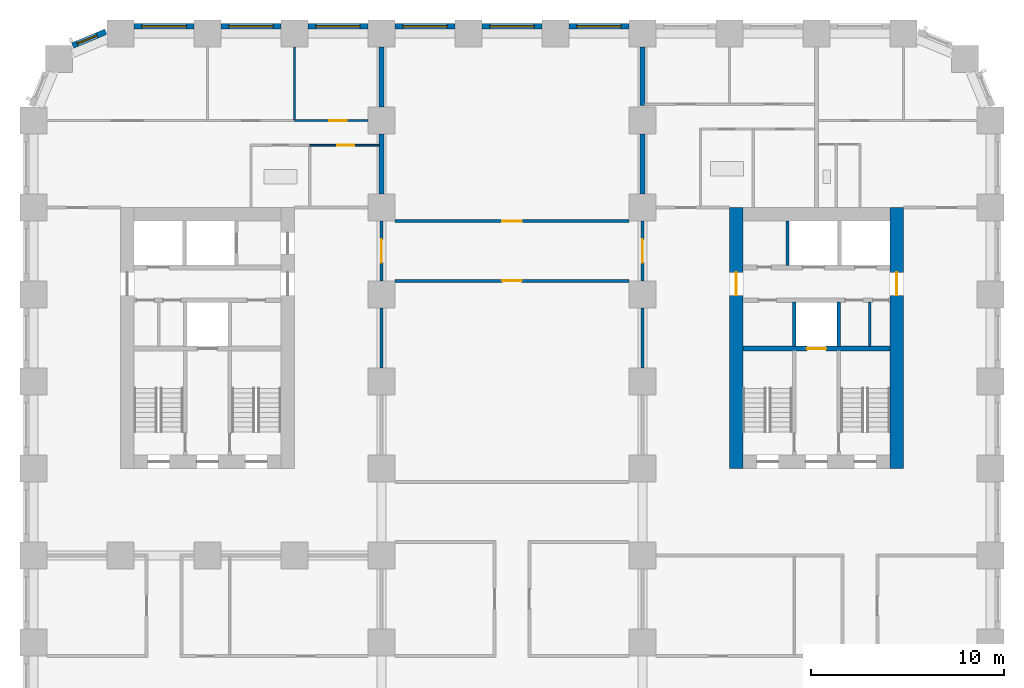
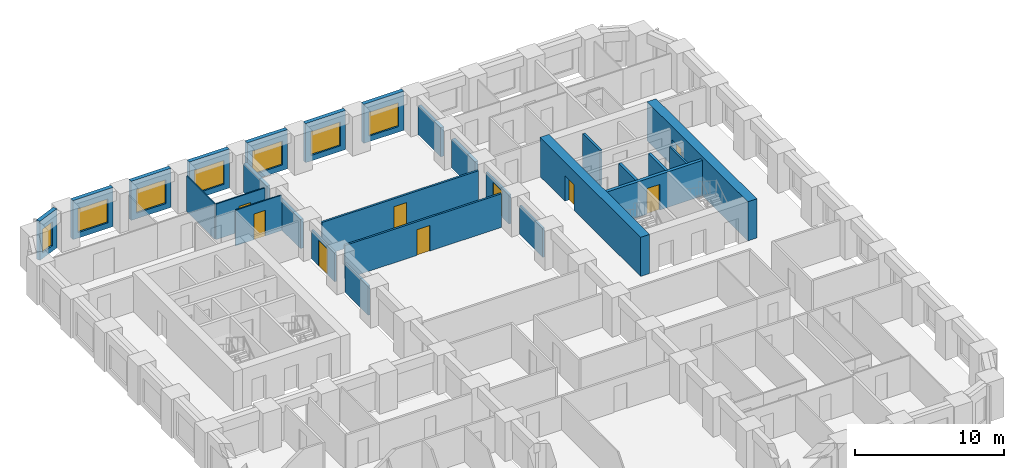
# One storey, part 7 of 12: 27 walls, 9 doors, 7 windows, 16 openings.
"""IFC4 building model written with IfcOpenShell, lengths in metres."""

from ifc_helpers import new_model, si_unit, direction, frame, frame_2d, origin, place, context, subcontext, project, spatial, rectangle, extrude, material, layer, layer_set, type_object, element, fill, save


model = new_model("IFC4")

# Units and contexts
model_context = context("Model", 3, precision=1e-05, world=origin(), true_north=direction((0.0, 1.0)))
body_context = subcontext(model_context, "Body", "Model", "MODEL_VIEW")
ifc_project = project(units=[si_unit("LENGTHUNIT", "METRE"), si_unit("AREAUNIT", "SQUARE_METRE"), si_unit("VOLUMEUNIT", "CUBIC_METRE"), si_unit("PLANEANGLEUNIT", "RADIAN"), si_unit("MASSUNIT", "GRAM", prefix="KILO")], contexts=[model_context])

# Site, building, storey
site_placement = place(None, origin())
site = spatial("IfcSite", under=ifc_project, at=site_placement, CompositionType="ELEMENT")
building_placement = place(site_placement, origin())
building = spatial("IfcBuilding", under=site, at=building_placement, Name="Girih Gate Residences", CompositionType="ELEMENT")
storey_placement = place(building_placement, frame((0.0, 0.0, 68.800048828125)))
storey = spatial("IfcBuildingStorey", under=building, at=storey_placement, Name="L18", CompositionType="ELEMENT", Elevation=68.800048828125)

# Walls
ifc_material_1 = material(Name="Gypsum board on steel studs", Category="steel")
ifc_layer_1 = layer(ifc_material_1, 0.25)
ifc_layer_set_1 = layer_set([ifc_layer_1], Name="Acoustic separating wall 250 mm")
wall_type_1 = type_object("IfcWallType", Name="Acoustic separating wall 250 mm", PredefinedType="PARTITIONING", material=ifc_layer_set_1)
for number, where, z_axis, x_axis, name in (
    (1, (18.0, 45.699951171875, 0.0), (0.0, 0.0, 1.0), (0.0, 1.0, 0.0), "L18 partition"),
    (2, (18.0, 41.199951171875, 0.0), (0.0, 0.0, 1.0), (0.0, 1.0, 0.0), "L18 partition"),
    (3, (31.5, 41.199951171875, 0.0), (0.0, 0.0, 1.0), (0.0, 1.0, 0.0), "L18 partition"),
):
    element("IfcWall", number, at=place(storey_placement, frame(where, z_axis=z_axis, x_axis=x_axis)), inside=storey, type_object=wall_type_1, Name=name, PredefinedType="PARTITIONING", context=body_context, shape_type="SweptSolid", body=[
        extrude(rectangle(XDim=3.10009765625, YDim=0.25, at=frame_2d((1.550048828125, 0.0))), origin(), (0.0, 0.0, 1.0), 2.3798828125),
    ])
wall_1_placement = place(storey_placement, frame((31.5, 45.7900390625, 0.0), z_axis=(0.0, 0.0, 1.0), x_axis=(0.0, 1.0, 0.0)))
element("IfcWall", 4, at=wall_1_placement, inside=storey, type_object=wall_type_1, Name="L18 partition", PredefinedType="PARTITIONING", context=body_context, shape_type="SweptSolid", body=[
    extrude(rectangle(XDim=3.010009765625, YDim=0.25, at=frame_2d((1.5048828125, 0.0))), origin(), (0.0, 0.0, 1.0), 2.3798828125),
])

# Wall, opening, door
ifc_layer_2 = layer(ifc_material_1, 0.14990234375)
ifc_layer_set_2 = layer_set([ifc_layer_2], Name="Compartment wall 150 mm")
wall_type_2 = type_object("IfcWallType", Name="Compartment wall 150 mm", PredefinedType="PARTITIONING", material=ifc_layer_set_2)
wall_2_placement = place(storey_placement, frame((18.699951171875, 39.800048828125, 0.0), z_axis=(0.0, 0.0, 1.0), x_axis=(1.0, 0.0, 0.0)))
wall_2 = element("IfcWall", 5, at=wall_2_placement, inside=storey, type_object=wall_type_2, Name="L18 partition", PredefinedType="PARTITIONING", context=body_context, shape_type="SweptSolid", body=[
    extrude(rectangle(XDim=12.10009765625, YDim=0.14990234375, at=frame_2d((6.050048828125, 0.0))), origin(), (0.0, 0.0, 1.0), 2.75),
])
opening_1_placement = place(wall_2_placement, frame((5.550048828125, 0.0, 0.0)))
opening_1 = element("IfcOpeningElement", 6, at=opening_1_placement, cuts=wall_2, Name="Opening A18-034", PredefinedType="OPENING", context=body_context, shape_type="SweptSolid", body=[
    extrude(rectangle(XDim=1.0, YDim=2.10009765625, at=frame_2d((0.5, 1.050048828125))), frame((0.0, 0.0849609375, 0.0), z_axis=(0.0, -1.0, 0.0), x_axis=(1.0, 0.0, 0.0)), (0.0, 0.0, 1.0), 0.169921875),
])
ifc_material_2 = material(Name="Timber, fire-rated core", Category="wood")
door_type_1 = type_object("IfcDoorType", Name="Amenity room door 1000x2100 FD30S", OperationType="NOTDEFINED", PredefinedType="DOOR", material=ifc_material_2)
door_1_placement = place(opening_1_placement, origin())
door_1 = element("IfcDoor", 7, at=door_1_placement, inside=storey, type_object=door_type_1, Name="Door A18-034", OperationType="SINGLE_SWING_RIGHT", OverallHeight=2.10009765625, OverallWidth=1.0, PredefinedType="DOOR", context=body_context, shape_type="SweptSolid", body=[
    extrude(rectangle(XDim=1.0, YDim=2.10009765625, at=frame_2d((0.5, 1.050048828125))), frame((0.0, 0.02490234375, 0.0), z_axis=(0.0, -1.0, 0.0), x_axis=(1.0, 0.0, 0.0)), (0.0, 0.0, 1.0), 0.050048828125),
])
fill(opening_1, door_1)

wall_3_placement = place(storey_placement, frame((30.800048828125, 36.699951171875, 0.0), z_axis=(0.0, 0.0, 1.0), x_axis=(-1.0, 0.0, 0.0)))
wall_3 = element("IfcWall", 8, at=wall_3_placement, inside=storey, type_object=wall_type_2, Name="L18 partition", PredefinedType="PARTITIONING", context=body_context, shape_type="SweptSolid", body=[
    extrude(rectangle(XDim=12.10009765625, YDim=0.14990234375, at=frame_2d((6.050048828125, 0.0))), origin(), (0.0, 0.0, 1.0), 2.75),
])
opening_2_placement = place(wall_3_placement, frame((5.550048828125, 0.0, 0.0)))
opening_2 = element("IfcOpeningElement", 9, at=opening_2_placement, cuts=wall_3, Name="Opening A18-035", PredefinedType="OPENING", context=body_context, shape_type="SweptSolid", body=[
    extrude(rectangle(XDim=1.0, YDim=2.10009765625, at=frame_2d((0.5, 1.050048828125))), frame((0.0, 0.0849609375, 0.0), z_axis=(0.0, -1.0, 0.0), x_axis=(1.0, 0.0, 0.0)), (0.0, 0.0, 1.0), 0.169921875),
])
door_2_placement = place(opening_2_placement, origin())
door_2 = element("IfcDoor", 10, at=door_2_placement, inside=storey, type_object=door_type_1, Name="Door A18-035", OperationType="SINGLE_SWING_RIGHT", OverallHeight=2.10009765625, OverallWidth=1.0, PredefinedType="DOOR", context=body_context, shape_type="SweptSolid", body=[
    extrude(rectangle(XDim=1.0, YDim=2.10009765625, at=frame_2d((0.5, 1.050048828125))), frame((0.0, 0.02490234375, 0.0), z_axis=(0.0, -1.0, 0.0), x_axis=(1.0, 0.0, 0.0)), (0.0, 0.0, 1.0), 0.050048828125),
])
fill(opening_2, door_2)

wall_4_placement = place(storey_placement, frame((31.5, 36.699951171875, 0.0), z_axis=(0.0, 0.0, 1.0), x_axis=(0.0, 1.0, 0.0)))
wall_4 = element("IfcWall", 11, at=wall_4_placement, inside=storey, type_object=wall_type_2, Name="L18 partition", PredefinedType="PARTITIONING", context=body_context, shape_type="SweptSolid", body=[
    extrude(rectangle(XDim=3.10009765625, YDim=0.14990234375, at=frame_2d((1.550048828125, 0.0))), origin(), (0.0, 0.0, 1.0), 2.3798828125),
])
opening_3_placement = place(wall_4_placement, frame((0.949951171875, 0.0, 0.0)))
opening_3 = element("IfcOpeningElement", 12, at=opening_3_placement, cuts=wall_4, Name="Opening A18-036", PredefinedType="OPENING", context=body_context, shape_type="SweptSolid", body=[
    extrude(rectangle(XDim=1.199951171875, YDim=2.10009765625, at=frame_2d((0.60009765625, 1.050048828125))), frame((0.0, 0.0849609375, 0.0), z_axis=(0.0, -1.0, 0.0), x_axis=(1.0, 0.0, 0.0)), (0.0, 0.0, 1.0), 0.169921875),
])
door_type_2 = type_object("IfcDoorType", Name="Corridor fire door 1200x2100 FD30S", OperationType="NOTDEFINED", PredefinedType="DOOR", material=ifc_material_2)
door_3_placement = place(opening_3_placement, origin())
door_3 = element("IfcDoor", 13, at=door_3_placement, inside=storey, type_object=door_type_2, Name="Door A18-036", OperationType="SINGLE_SWING_LEFT", OverallHeight=2.10009765625, OverallWidth=1.199951171875, PredefinedType="DOOR", context=body_context, shape_type="SweptSolid", body=[
    extrude(rectangle(XDim=1.199951171875, YDim=2.10009765625, at=frame_2d((0.60009765625, 1.050048828125))), frame((0.0, 0.02490234375, 0.0), z_axis=(0.0, -1.0, 0.0), x_axis=(1.0, 0.0, 0.0)), (0.0, 0.0, 1.0), 0.050048828125),
])
fill(opening_3, door_3)

wall_5_placement = place(storey_placement, frame((18.0, 39.800048828125, 0.0), z_axis=(0.0, 0.0, 1.0), x_axis=(0.0, -1.0, 0.0)))
wall_5 = element("IfcWall", 14, at=wall_5_placement, inside=storey, type_object=wall_type_2, Name="L18 partition", PredefinedType="PARTITIONING", context=body_context, shape_type="SweptSolid", body=[
    extrude(rectangle(XDim=3.10009765625, YDim=0.14990234375, at=frame_2d((1.550048828125, 0.0))), origin(), (0.0, 0.0, 1.0), 2.3798828125),
])
opening_4_placement = place(wall_5_placement, frame((0.949951171875, 0.0, 0.0)))
opening_4 = element("IfcOpeningElement", 15, at=opening_4_placement, cuts=wall_5, Name="Opening A18-037", PredefinedType="OPENING", context=body_context, shape_type="SweptSolid", body=[
    extrude(rectangle(XDim=1.199951171875, YDim=2.10009765625, at=frame_2d((0.60009765625, 1.050048828125))), frame((0.0, 0.0849609375, 0.0), z_axis=(0.0, -1.0, 0.0), x_axis=(1.0, 0.0, 0.0)), (0.0, 0.0, 1.0), 0.169921875),
])
door_4_placement = place(opening_4_placement, origin())
door_4 = element("IfcDoor", 16, at=door_4_placement, inside=storey, type_object=door_type_2, Name="Door A18-037", OperationType="SINGLE_SWING_LEFT", OverallHeight=2.10009765625, OverallWidth=1.199951171875, PredefinedType="DOOR", context=body_context, shape_type="SweptSolid", body=[
    extrude(rectangle(XDim=1.199951171875, YDim=2.10009765625, at=frame_2d((0.60009765625, 1.050048828125))), frame((0.0, 0.02490234375, 0.0), z_axis=(0.0, -1.0, 0.0), x_axis=(1.0, 0.0, 0.0)), (0.0, 0.0, 1.0), 0.050048828125),
])
fill(opening_4, door_4)

# Walls
for number, where, z_axis, x_axis, name in (
    (17, (31.5, 32.199951171875, 0.0), (0.0, 0.0, 1.0), (0.0, 1.0, 0.0), "L18 partition"),
    (18, (18.0, 32.199951171875, 0.0), (0.0, 0.0, 1.0), (0.0, 1.0, 0.0), "L18 partition"),
):
    element("IfcWall", number, at=place(storey_placement, frame(where, z_axis=z_axis, x_axis=x_axis)), inside=storey, type_object=wall_type_2, Name=name, PredefinedType="PARTITIONING", context=body_context, shape_type="SweptSolid", body=[
        extrude(rectangle(XDim=3.10009765625, YDim=0.14990234375, at=frame_2d((1.550048828125, 0.0))), origin(), (0.0, 0.0, 1.0), 2.3798828125),
    ])

# Wall, opening, door
ifc_material_3 = material(Name="Concrete C60/75", Category="concrete")
ifc_layer_3 = layer(ifc_material_3, 0.699951171875)
ifc_layer_set_3 = layer_set([ifc_layer_3], Name="Core wall RC 700 Concrete C60/75")
wall_type_3 = type_object("IfcWallType", Name="Core wall RC 700 Concrete C60/75", PredefinedType="SOLIDWALL", material=ifc_layer_set_3)
wall_6_placement = place(storey_placement, frame((36.35009765625, 27.0, 0.0), z_axis=(0.0, 0.0, 1.0), x_axis=(0.0, 1.0, 0.0)))
wall_6 = element("IfcWall", 19, at=wall_6_placement, inside=storey, type_object=wall_type_3, Name="Core wall E-W L18", PredefinedType="SOLIDWALL", context=body_context, shape_type="SweptSolid", body=[
    extrude(rectangle(XDim=13.5, YDim=0.699951171875, at=frame_2d((6.75, 0.0))), origin(), (0.0, 0.0, 1.0), 3.199951171875),
])
opening_5_placement = place(wall_6_placement, frame((8.949951171875, 0.0, 0.0)))
opening_5 = element("IfcOpeningElement", 20, at=opening_5_placement, cuts=wall_6, Name="Opening D-L18-E-013", PredefinedType="OPENING", context=body_context, shape_type="SweptSolid", body=[
    extrude(rectangle(XDim=1.199951171875, YDim=2.10009765625, at=frame_2d((0.60009765625, 1.050048828125))), frame((0.0, 0.35986328125, 0.0), z_axis=(0.0, -1.0, 0.0), x_axis=(1.0, 0.0, 0.0)), (0.0, 0.0, 1.0), 0.719970703125),
])
ifc_material_4 = material(Name="Painted steel, fire-resisting", Category="steel")
door_type_3 = type_object("IfcDoorType", Name="Fire door 1200x2100", OperationType="SINGLE_SWING_LEFT", PredefinedType="DOOR", material=ifc_material_4)
door_5_placement = place(opening_5_placement, origin())
door_5 = element("IfcDoor", 21, at=door_5_placement, inside=storey, type_object=door_type_3, Name="L18 E core door ll-w", OperationType="SINGLE_SWING_LEFT", OverallHeight=2.10009765625, OverallWidth=1.199951171875, PredefinedType="DOOR", context=body_context, shape_type="SweptSolid", body=[
    extrude(rectangle(XDim=1.199951171875, YDim=2.10009765625, at=frame_2d((0.60009765625, 1.050048828125))), frame((0.0, 0.02490234375, 0.0), z_axis=(0.0, -1.0, 0.0), x_axis=(1.0, 0.0, 0.0)), (0.0, 0.0, 1.0), 0.050048828125),
])
fill(opening_5, door_5)

wall_7_placement = place(storey_placement, frame((44.64990234375, 27.0, 0.0), z_axis=(0.0, 0.0, 1.0), x_axis=(0.0, 1.0, 0.0)))
wall_7 = element("IfcWall", 22, at=wall_7_placement, inside=storey, type_object=wall_type_3, Name="Core wall E-E L18", PredefinedType="SOLIDWALL", context=body_context, shape_type="SweptSolid", body=[
    extrude(rectangle(XDim=13.5, YDim=0.699951171875, at=frame_2d((6.75, 0.0))), origin(), (0.0, 0.0, 1.0), 3.199951171875),
])
opening_6_placement = place(wall_7_placement, frame((8.949951171875, 0.0, 0.0)))
opening_6 = element("IfcOpeningElement", 23, at=opening_6_placement, cuts=wall_7, Name="Opening D-L18-E-014", PredefinedType="OPENING", context=body_context, shape_type="SweptSolid", body=[
    extrude(rectangle(XDim=1.199951171875, YDim=2.10009765625, at=frame_2d((0.60009765625, 1.050048828125))), frame((0.0, 0.35986328125, 0.0), z_axis=(0.0, -1.0, 0.0), x_axis=(1.0, 0.0, 0.0)), (0.0, 0.0, 1.0), 0.719970703125),
])
door_6_placement = place(opening_6_placement, origin())
door_6 = element("IfcDoor", 24, at=door_6_placement, inside=storey, type_object=door_type_3, Name="L18 E core door ll-e", OperationType="SINGLE_SWING_LEFT", OverallHeight=2.10009765625, OverallWidth=1.199951171875, PredefinedType="DOOR", context=body_context, shape_type="SweptSolid", body=[
    extrude(rectangle(XDim=1.199951171875, YDim=2.10009765625, at=frame_2d((0.60009765625, 1.050048828125))), frame((0.0, 0.02490234375, 0.0), z_axis=(0.0, -1.0, 0.0), x_axis=(1.0, 0.0, 0.0)), (0.0, 0.0, 1.0), 0.050048828125),
])
fill(opening_6, door_6)

ifc_material_5 = material(Name="Concrete C40/50", Category="concrete")
ifc_layer_4 = layer(ifc_material_5, 0.25)
ifc_layer_set_4 = layer_set([ifc_layer_4], Name="Lift shaft wall 250")
wall_type_4 = type_object("IfcWallType", Name="Lift shaft wall 250", PredefinedType="SOLIDWALL", material=ifc_layer_set_4)
wall_8_placement = place(storey_placement, frame((36.699951171875, 33.199951171875, 0.0), z_axis=(0.0, 0.0, 1.0), x_axis=(1.0, 0.0, 0.0)))
wall_8 = element("IfcWall", 25, at=wall_8_placement, inside=storey, type_object=wall_type_4, Name="L18 E core wall H1", PredefinedType="SOLIDWALL", context=body_context, shape_type="SweptSolid", body=[
    extrude(rectangle(XDim=7.60009765625, YDim=0.25, at=frame_2d((3.800048828125, 0.0))), origin(), (0.0, 0.0, 1.0), 2.89990234375),
])
opening_7_placement = place(wall_8_placement, frame((3.300048828125, 0.0, 0.0)))
opening_7 = element("IfcOpeningElement", 26, at=opening_7_placement, cuts=wall_8, Name="Opening D-L18-E-005", PredefinedType="OPENING", context=body_context, shape_type="SweptSolid", body=[
    extrude(rectangle(XDim=1.0, YDim=2.10009765625, at=frame_2d((0.5, 1.050048828125))), frame((0.0, 0.135009765625, 0.0), z_axis=(0.0, -1.0, 0.0), x_axis=(1.0, 0.0, 0.0)), (0.0, 0.0, 1.0), 0.27001953125),
])
ifc_material_6 = material(Name="Stainless steel, fire-resisting", Category="steel")
door_type_4 = type_object("IfcDoorType", Name="Firefighting lift landing door 1000x2100", OperationType="SLIDING_TO_LEFT", PredefinedType="DOOR", material=ifc_material_6)
door_7_placement = place(opening_7_placement, origin())
door_7 = element("IfcDoor", 27, at=door_7_placement, inside=storey, type_object=door_type_4, Name="L18 lift FF-E landing door", OperationType="SLIDING_TO_LEFT", OverallHeight=2.10009765625, OverallWidth=1.0, PredefinedType="DOOR", context=body_context, shape_type="SweptSolid", body=[
    extrude(rectangle(XDim=1.0, YDim=2.10009765625, at=frame_2d((0.5, 1.050048828125))), frame((0.0, 0.02490234375, 0.0), z_axis=(0.0, -1.0, 0.0), x_axis=(1.0, 0.0, 0.0)), (0.0, 0.0, 1.0), 0.050048828125),
])
fill(opening_7, door_7)

# Wall
ifc_layer_5 = layer(ifc_material_1, 0.10009765625)
ifc_layer_set_5 = layer_set([ifc_layer_5], Name="Partition 100 mm")
wall_type_5 = type_object("IfcWallType", Name="Partition 100 mm", PredefinedType="PARTITIONING", material=ifc_layer_set_5)
wall_9_placement = place(storey_placement, frame((13.5, 45.050048828125, 0.0), z_axis=(0.0, 0.0, 1.0), x_axis=(0.0, 1.0, 0.0)))
element("IfcWall", 28, at=wall_9_placement, inside=storey, type_object=wall_type_5, Name="L18 partition", PredefinedType="PARTITIONING", context=body_context, shape_type="SweptSolid", body=[
    extrude(rectangle(XDim=3.75, YDim=0.10009765625, at=frame_2d((1.875, 0.0))), origin(), (0.0, 0.0, 1.0), 2.89990234375),
])

# Wall, opening, door
wall_10_placement = place(storey_placement, frame((13.5, 45.0, 0.0), z_axis=(0.0, 0.0, 1.0), x_axis=(1.0, 0.0, 0.0)))
wall_10 = element("IfcWall", 29, at=wall_10_placement, inside=storey, type_object=wall_type_5, Name="L18 partition", PredefinedType="PARTITIONING", context=body_context, shape_type="SweptSolid", body=[
    extrude(rectangle(XDim=3.800048828125, YDim=0.10009765625, at=frame_2d((1.89990234375, 0.0))), origin(), (0.0, 0.0, 1.0), 2.89990234375),
])
opening_8_placement = place(wall_10_placement, frame((1.800048828125, 0.0, 0.0)))
opening_8 = element("IfcOpeningElement", 30, at=opening_8_placement, cuts=wall_10, Name="Opening A18-010", PredefinedType="OPENING", context=body_context, shape_type="SweptSolid", body=[
    extrude(rectangle(XDim=0.89990234375, YDim=2.10009765625, at=frame_2d((0.449951171875, 1.050048828125))), frame((0.0, 0.06005859375, 0.0), z_axis=(0.0, -1.0, 0.0), x_axis=(1.0, 0.0, 0.0)), (0.0, 0.0, 1.0), 0.1201171875),
])
ifc_material_7 = material(Name="Timber", Category="wood")
door_type_5 = type_object("IfcDoorType", Name="Bedroom door 900x2100", OperationType="NOTDEFINED", PredefinedType="DOOR", material=ifc_material_7)
door_8_placement = place(opening_8_placement, origin())
door_8 = element("IfcDoor", 31, at=door_8_placement, inside=storey, type_object=door_type_5, Name="Door A18-010", OperationType="SINGLE_SWING_RIGHT", OverallHeight=2.10009765625, OverallWidth=0.89990234375, PredefinedType="DOOR", context=body_context, shape_type="SweptSolid", body=[
    extrude(rectangle(XDim=0.89990234375, YDim=2.10009765625, at=frame_2d((0.449951171875, 1.050048828125))), frame((0.0, 0.02490234375, 0.0), z_axis=(0.0, -1.0, 0.0), x_axis=(1.0, 0.0, 0.0)), (0.0, 0.0, 1.0), 0.050048828125),
])
fill(opening_8, door_8)

wall_11_placement = place(storey_placement, frame((17.875, 43.719970703125, 0.0), z_axis=(0.0, 0.0, 1.0), x_axis=(-1.0, 0.0, 0.0)))
wall_11 = element("IfcWall", 32, at=wall_11_placement, inside=storey, type_object=wall_type_5, Name="L18 partition", PredefinedType="PARTITIONING", context=body_context, shape_type="SweptSolid", body=[
    extrude(rectangle(XDim=3.579833984375, YDim=0.10009765625, at=frame_2d((1.7900390625, 0.0))), origin(), (0.0, 0.0, 1.0), 2.89990234375),
])
opening_9_placement = place(wall_11_placement, frame((1.27734375, 0.0, 0.0)))
opening_9 = element("IfcOpeningElement", 33, at=opening_9_placement, cuts=wall_11, Name="Opening A18-011", PredefinedType="OPENING", context=body_context, shape_type="SweptSolid", body=[
    extrude(rectangle(XDim=0.89990234375, YDim=2.10009765625, at=frame_2d((0.449951171875, 1.050048828125))), frame((0.0, 0.06005859375, 0.0), z_axis=(0.0, -1.0, 0.0), x_axis=(1.0, 0.0, 0.0)), (0.0, 0.0, 1.0), 0.1201171875),
])
door_type_6 = type_object("IfcDoorType", Name="Kitchen door 900x2100", OperationType="NOTDEFINED", PredefinedType="DOOR", material=ifc_material_7)
door_9_placement = place(opening_9_placement, origin())
door_9 = element("IfcDoor", 34, at=door_9_placement, inside=storey, type_object=door_type_6, Name="Door A18-011", OperationType="SINGLE_SWING_LEFT", OverallHeight=2.10009765625, OverallWidth=0.89990234375, PredefinedType="DOOR", context=body_context, shape_type="SweptSolid", body=[
    extrude(rectangle(XDim=0.89990234375, YDim=2.10009765625, at=frame_2d((0.449951171875, 1.050048828125))), frame((0.0, 0.02490234375, 0.0), z_axis=(0.0, -1.0, 0.0), x_axis=(1.0, 0.0, 0.0)), (0.0, 0.0, 1.0), 0.050048828125),
])
fill(opening_9, door_9)

# Wall, opening, window
ifc_material_8 = material(Name="Precast concrete C50/60", Category="concrete")
ifc_layer_6 = layer(ifc_material_8, 0.080078125, Name="Outer leaf")
ifc_material_9 = material(Name="Rigid PIR insulation")
ifc_layer_7 = layer(ifc_material_9, 0.14990234375, Name="Insulation")
ifc_material_10 = material(Name="Precast concrete C40/50", Category="concrete")
ifc_layer_8 = layer(ifc_material_10, 0.070068359375, Name="Inner leaf")
ifc_layer_set_6 = layer_set([ifc_layer_6, ifc_layer_7, ifc_layer_8], Name="Precast concrete C50/60 external wall 300")
wall_type_6 = type_object("IfcWallType", Name="Precast concrete C50/60 external wall 300", PredefinedType="SOLIDWALL", material=ifc_layer_set_6)
wall_12_placement = place(storey_placement, frame((27.699951171875, 49.875, 0.0), z_axis=(0.0, 0.0, 1.0), x_axis=(1.0, 0.0, 0.0)))
wall_12 = element("IfcWall", 35, at=wall_12_placement, inside=storey, type_object=wall_type_6, Name="External wall N0450_0495.3", PredefinedType="SOLIDWALL", context=body_context, shape_type="SweptSolid", body=[
    extrude(rectangle(XDim=3.10009765625, YDim=0.300048828125, at=frame_2d((1.550048828125, 0.0))), origin(), (0.0, 0.0, 1.0), 3.199951171875),
])
opening_10_placement = place(wall_12_placement, frame((0.39990234375, 0.0, 0.449951171875)))
opening_10 = element("IfcOpeningElement", 36, at=opening_10_placement, cuts=wall_12, Name="Opening W-1", PredefinedType="OPENING", context=body_context, shape_type="SweptSolid", body=[
    extrude(rectangle(XDim=2.300048828125, YDim=1.949951171875, at=frame_2d((1.14990234375, 0.97509765625))), frame((0.0, 0.159912109375, 0.0), z_axis=(0.0, -1.0, 0.0), x_axis=(1.0, 0.0, 0.0)), (0.0, 0.0, 1.0), 0.320068359375),
])
ifc_material_11 = material(Name="Double glazing in aluminium frame", Category="aluminium")
window_type_1 = type_object("IfcWindowType", Name="Window W-1 2300x1950", PartitioningType="SINGLE_PANEL", PredefinedType="WINDOW", material=ifc_material_11)
window_1_placement = place(opening_10_placement, origin())
window_1 = element("IfcWindow", 37, at=window_1_placement, inside=storey, type_object=window_type_1, Name="Window W-1 N0450_0495.3", OverallHeight=1.949951171875, OverallWidth=2.300048828125, PartitioningType="SINGLE_PANEL", PredefinedType="WINDOW", context=body_context, shape_type="SweptSolid", body=[
    extrude(rectangle(XDim=2.300048828125, YDim=1.949951171875, at=frame_2d((1.14990234375, 0.97509765625))), frame((0.0, 0.030029296875, 0.0), z_axis=(0.0, -1.0, 0.0), x_axis=(1.0, 0.0, 0.0)), (0.0, 0.0, 1.0), 0.06005859375),
])
fill(opening_10, window_1)

wall_13_placement = place(storey_placement, frame((23.199951171875, 49.875, 0.0), z_axis=(0.0, 0.0, 1.0), x_axis=(1.0, 0.0, 0.0)))
wall_13 = element("IfcWall", 38, at=wall_13_placement, inside=storey, type_object=wall_type_6, Name="External wall N0450_0495.4", PredefinedType="SOLIDWALL", context=body_context, shape_type="SweptSolid", body=[
    extrude(rectangle(XDim=3.10009765625, YDim=0.300048828125, at=frame_2d((1.550048828125, 0.0))), origin(), (0.0, 0.0, 1.0), 3.199951171875),
])
opening_11_placement = place(wall_13_placement, frame((0.39990234375, 0.0, 0.449951171875)))
opening_11 = element("IfcOpeningElement", 39, at=opening_11_placement, cuts=wall_13, Name="Opening W-1", PredefinedType="OPENING", context=body_context, shape_type="SweptSolid", body=[
    extrude(rectangle(XDim=2.300048828125, YDim=1.949951171875, at=frame_2d((1.14990234375, 0.97509765625))), frame((0.0, 0.159912109375, 0.0), z_axis=(0.0, -1.0, 0.0), x_axis=(1.0, 0.0, 0.0)), (0.0, 0.0, 1.0), 0.320068359375),
])
window_2_placement = place(opening_11_placement, origin())
window_2 = element("IfcWindow", 40, at=window_2_placement, inside=storey, type_object=window_type_1, Name="Window W-1 N0450_0495.4", OverallHeight=1.949951171875, OverallWidth=2.300048828125, PartitioningType="SINGLE_PANEL", PredefinedType="WINDOW", context=body_context, shape_type="SweptSolid", body=[
    extrude(rectangle(XDim=2.300048828125, YDim=1.949951171875, at=frame_2d((1.14990234375, 0.97509765625))), frame((0.0, 0.030029296875, 0.0), z_axis=(0.0, -1.0, 0.0), x_axis=(1.0, 0.0, 0.0)), (0.0, 0.0, 1.0), 0.06005859375),
])
fill(opening_11, window_2)

wall_14_placement = place(storey_placement, frame((18.699951171875, 49.875, 0.0), z_axis=(0.0, 0.0, 1.0), x_axis=(1.0, 0.0, 0.0)))
wall_14 = element("IfcWall", 41, at=wall_14_placement, inside=storey, type_object=wall_type_6, Name="External wall N0450_0495.5", PredefinedType="SOLIDWALL", context=body_context, shape_type="SweptSolid", body=[
    extrude(rectangle(XDim=3.10009765625, YDim=0.300048828125, at=frame_2d((1.550048828125, 0.0))), origin(), (0.0, 0.0, 1.0), 3.199951171875),
])
opening_12_placement = place(wall_14_placement, frame((0.39990234375, 0.0, 0.449951171875)))
opening_12 = element("IfcOpeningElement", 42, at=opening_12_placement, cuts=wall_14, Name="Opening W-1", PredefinedType="OPENING", context=body_context, shape_type="SweptSolid", body=[
    extrude(rectangle(XDim=2.300048828125, YDim=1.949951171875, at=frame_2d((1.14990234375, 0.97509765625))), frame((0.0, 0.159912109375, 0.0), z_axis=(0.0, -1.0, 0.0), x_axis=(1.0, 0.0, 0.0)), (0.0, 0.0, 1.0), 0.320068359375),
])
window_3_placement = place(opening_12_placement, origin())
window_3 = element("IfcWindow", 43, at=window_3_placement, inside=storey, type_object=window_type_1, Name="Window W-1 N0450_0495.5", OverallHeight=1.949951171875, OverallWidth=2.300048828125, PartitioningType="SINGLE_PANEL", PredefinedType="WINDOW", context=body_context, shape_type="SweptSolid", body=[
    extrude(rectangle(XDim=2.300048828125, YDim=1.949951171875, at=frame_2d((1.14990234375, 0.97509765625))), frame((0.0, 0.030029296875, 0.0), z_axis=(0.0, -1.0, 0.0), x_axis=(1.0, 0.0, 0.0)), (0.0, 0.0, 1.0), 0.06005859375),
])
fill(opening_12, window_3)

wall_15_placement = place(storey_placement, frame((14.199951171875, 49.875, 0.0), z_axis=(0.0, 0.0, 1.0), x_axis=(1.0, 0.0, 0.0)))
wall_15 = element("IfcWall", 44, at=wall_15_placement, inside=storey, type_object=wall_type_6, Name="External wall N0450_0495.6", PredefinedType="SOLIDWALL", context=body_context, shape_type="SweptSolid", body=[
    extrude(rectangle(XDim=3.10009765625, YDim=0.300048828125, at=frame_2d((1.550048828125, 0.0))), origin(), (0.0, 0.0, 1.0), 3.199951171875),
])
opening_13_placement = place(wall_15_placement, frame((0.39990234375, 0.0, 0.449951171875)))
opening_13 = element("IfcOpeningElement", 45, at=opening_13_placement, cuts=wall_15, Name="Opening W-1", PredefinedType="OPENING", context=body_context, shape_type="SweptSolid", body=[
    extrude(rectangle(XDim=2.300048828125, YDim=1.949951171875, at=frame_2d((1.14990234375, 0.97509765625))), frame((0.0, 0.159912109375, 0.0), z_axis=(0.0, -1.0, 0.0), x_axis=(1.0, 0.0, 0.0)), (0.0, 0.0, 1.0), 0.320068359375),
])
window_4_placement = place(opening_13_placement, origin())
window_4 = element("IfcWindow", 46, at=window_4_placement, inside=storey, type_object=window_type_1, Name="Window W-1 N0450_0495.6", OverallHeight=1.949951171875, OverallWidth=2.300048828125, PartitioningType="SINGLE_PANEL", PredefinedType="WINDOW", context=body_context, shape_type="SweptSolid", body=[
    extrude(rectangle(XDim=2.300048828125, YDim=1.949951171875, at=frame_2d((1.14990234375, 0.97509765625))), frame((0.0, 0.030029296875, 0.0), z_axis=(0.0, -1.0, 0.0), x_axis=(1.0, 0.0, 0.0)), (0.0, 0.0, 1.0), 0.06005859375),
])
fill(opening_13, window_4)

wall_16_placement = place(storey_placement, frame((9.699951171875, 49.875, 0.0), z_axis=(0.0, 0.0, 1.0), x_axis=(1.0, 0.0, 0.0)))
wall_16 = element("IfcWall", 47, at=wall_16_placement, inside=storey, type_object=wall_type_6, Name="External wall N0450_0495.7", PredefinedType="SOLIDWALL", context=body_context, shape_type="SweptSolid", body=[
    extrude(rectangle(XDim=3.10009765625, YDim=0.300048828125, at=frame_2d((1.550048828125, 0.0))), origin(), (0.0, 0.0, 1.0), 3.199951171875),
])
opening_14_placement = place(wall_16_placement, frame((0.39990234375, 0.0, 0.449951171875)))
opening_14 = element("IfcOpeningElement", 48, at=opening_14_placement, cuts=wall_16, Name="Opening W-1", PredefinedType="OPENING", context=body_context, shape_type="SweptSolid", body=[
    extrude(rectangle(XDim=2.300048828125, YDim=1.949951171875, at=frame_2d((1.14990234375, 0.97509765625))), frame((0.0, 0.159912109375, 0.0), z_axis=(0.0, -1.0, 0.0), x_axis=(1.0, 0.0, 0.0)), (0.0, 0.0, 1.0), 0.320068359375),
])
window_5_placement = place(opening_14_placement, origin())
window_5 = element("IfcWindow", 49, at=window_5_placement, inside=storey, type_object=window_type_1, Name="Window W-1 N0450_0495.7", OverallHeight=1.949951171875, OverallWidth=2.300048828125, PartitioningType="SINGLE_PANEL", PredefinedType="WINDOW", context=body_context, shape_type="SweptSolid", body=[
    extrude(rectangle(XDim=2.300048828125, YDim=1.949951171875, at=frame_2d((1.14990234375, 0.97509765625))), frame((0.0, 0.030029296875, 0.0), z_axis=(0.0, -1.0, 0.0), x_axis=(1.0, 0.0, 0.0)), (0.0, 0.0, 1.0), 0.06005859375),
])
fill(opening_14, window_5)

wall_17_placement = place(storey_placement, frame((5.199951171875, 49.875, 0.0), z_axis=(0.0, 0.0, 1.0), x_axis=(1.0, 0.0, 0.0)))
wall_17 = element("IfcWall", 50, at=wall_17_placement, inside=storey, type_object=wall_type_6, Name="External wall N0450_0495.8", PredefinedType="SOLIDWALL", context=body_context, shape_type="SweptSolid", body=[
    extrude(rectangle(XDim=3.10009765625, YDim=0.300048828125, at=frame_2d((1.550048828125, 0.0))), origin(), (0.0, 0.0, 1.0), 3.199951171875),
])
opening_15_placement = place(wall_17_placement, frame((0.39990234375, 0.0, 0.449951171875)))
opening_15 = element("IfcOpeningElement", 51, at=opening_15_placement, cuts=wall_17, Name="Opening W-1", PredefinedType="OPENING", context=body_context, shape_type="SweptSolid", body=[
    extrude(rectangle(XDim=2.300048828125, YDim=1.949951171875, at=frame_2d((1.14990234375, 0.97509765625))), frame((0.0, 0.159912109375, 0.0), z_axis=(0.0, -1.0, 0.0), x_axis=(1.0, 0.0, 0.0)), (0.0, 0.0, 1.0), 0.320068359375),
])
window_6_placement = place(opening_15_placement, origin())
window_6 = element("IfcWindow", 52, at=window_6_placement, inside=storey, type_object=window_type_1, Name="Window W-1 N0450_0495.8", OverallHeight=1.949951171875, OverallWidth=2.300048828125, PartitioningType="SINGLE_PANEL", PredefinedType="WINDOW", context=body_context, shape_type="SweptSolid", body=[
    extrude(rectangle(XDim=2.300048828125, YDim=1.949951171875, at=frame_2d((1.14990234375, 0.97509765625))), frame((0.0, 0.030029296875, 0.0), z_axis=(0.0, -1.0, 0.0), x_axis=(1.0, 0.0, 0.0)), (0.0, 0.0, 1.0), 0.06005859375),
])
fill(opening_15, window_6)

wall_18_placement = place(storey_placement, frame((2.01953125, 48.87841796875, 0.0), z_axis=(0.0, 0.0, 1.0), x_axis=(0.923903565336, 0.38262540684, 0.0)))
wall_18 = element("IfcWall", 53, at=wall_18_placement, inside=storey, type_object=wall_type_6, Name="External wall NW0045_0495.0", PredefinedType="SOLIDWALL", context=body_context, shape_type="SweptSolid", body=[
    extrude(rectangle(XDim=1.864990234375, YDim=0.300048828125, at=frame_2d((0.9326171875, 0.0))), origin(), (0.0, 0.0, 1.0), 3.199951171875),
])
opening_16_placement = place(wall_18_placement, frame((0.257568359375, 0.0, 0.449951171875)))
opening_16 = element("IfcOpeningElement", 54, at=opening_16_placement, cuts=wall_18, Name="Opening W-2C", PredefinedType="OPENING", context=body_context, shape_type="SweptSolid", body=[
    extrude(rectangle(XDim=1.10009765625, YDim=1.949951171875, at=frame_2d((0.550048828125, 0.97509765625))), frame((0.0, 0.159912109375, 0.0), z_axis=(0.0, -1.0, 0.0), x_axis=(1.0, 0.0, 0.0)), (0.0, 0.0, 1.0), 0.320068359375),
])
window_type_2 = type_object("IfcWindowType", Name="Window W-2C 1100x1950", PartitioningType="SINGLE_PANEL", PredefinedType="WINDOW", material=ifc_material_11)
window_7_placement = place(opening_16_placement, origin())
window_7 = element("IfcWindow", 55, at=window_7_placement, inside=storey, type_object=window_type_2, Name="Window W-2C NW0045_0495.0", OverallHeight=1.949951171875, OverallWidth=1.10009765625, PartitioningType="SINGLE_PANEL", PredefinedType="WINDOW", context=body_context, shape_type="SweptSolid", body=[
    extrude(rectangle(XDim=1.10009765625, YDim=1.949951171875, at=frame_2d((0.550048828125, 0.97509765625))), frame((0.0, 0.030029296875, 0.0), z_axis=(0.0, -1.0, 0.0), x_axis=(1.0, 0.0, 0.0)), (0.0, 0.0, 1.0), 0.06005859375),
])
fill(opening_16, window_7)

# Walls
ifc_layer_9 = layer(ifc_material_5, 0.175048828125)
ifc_layer_set_7 = layer_set([ifc_layer_9], Name="Riser shaft wall 175")
wall_type_7 = type_object("IfcWallType", Name="Riser shaft wall 175", PredefinedType="SOLIDWALL", material=ifc_layer_set_7)
wall_19_placement = place(storey_placement, frame((39.0, 37.5, 0.0), z_axis=(0.0, 0.0, 1.0), x_axis=(0.0, 1.0, 0.0)))
element("IfcWall", 56, at=wall_19_placement, inside=storey, type_object=wall_type_7, Name="L18 E core wall V2c", PredefinedType="SOLIDWALL", context=body_context, shape_type="SweptSolid", body=[
    extrude(rectangle(XDim=2.300048828125, YDim=0.175048828125, at=frame_2d((1.14990234375, 0.0))), origin(), (0.0, 0.0, 1.0), 2.89990234375),
])
ifc_layer_10 = layer(ifc_material_5, 0.199951171875)
ifc_layer_set_8 = layer_set([ifc_layer_10], Name="Shaft wall 200")
wall_type_8 = type_object("IfcWallType", Name="Shaft wall 200", PredefinedType="SOLIDWALL", material=ifc_layer_set_8)
for number, where, z_axis, x_axis, name in (
    (57, (41.64990234375, 33.300048828125, 0.0), (0.0, 0.0, 1.0), (0.0, 1.0, 0.0), "L18 E core wall V1b"),
    (58, (39.35009765625, 33.300048828125, 0.0), (0.0, 0.0, 1.0), (0.0, 1.0, 0.0), "L18 E core wall V2b"),
):
    element("IfcWall", number, at=place(storey_placement, frame(where, z_axis=z_axis, x_axis=x_axis)), inside=storey, type_object=wall_type_8, Name=name, PredefinedType="SOLIDWALL", context=body_context, shape_type="SweptSolid", body=[
        extrude(rectangle(XDim=2.300048828125, YDim=0.199951171875, at=frame_2d((1.14990234375, 0.0))), origin(), (0.0, 0.0, 1.0), 2.89990234375),
    ])
ifc_material_12 = material(Name="Calcium silicate blockwork", Category="masonry")
ifc_layer_11 = layer(ifc_material_12, 0.125)
ifc_layer_set_9 = layer_set([ifc_layer_11], Name="Store partition 125")
wall_type_9 = type_object("IfcWallType", Name="Store partition 125", PredefinedType="PARTITIONING", material=ifc_layer_set_9)
wall_20_placement = place(storey_placement, frame((43.25, 33.300048828125, 0.0), z_axis=(0.0, 0.0, 1.0), x_axis=(0.0, 1.0, 0.0)))
element("IfcWall", 59, at=wall_20_placement, inside=storey, type_object=wall_type_9, Name="L18 E core wall SHR1", PredefinedType="PARTITIONING", context=body_context, shape_type="SweptSolid", body=[
    extrude(rectangle(XDim=2.300048828125, YDim=0.125, at=frame_2d((1.14990234375, 0.0))), origin(), (0.0, 0.0, 1.0), 2.89990234375),
])

save(model, "model.ifc")
